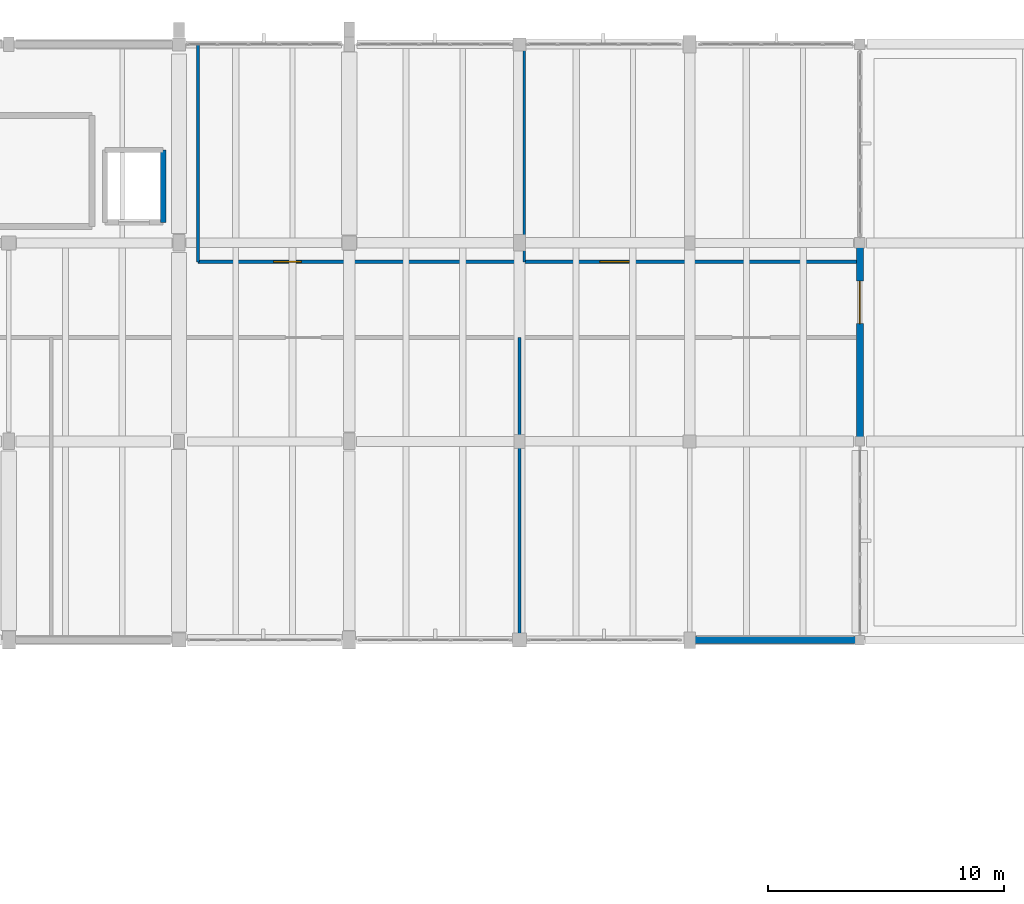
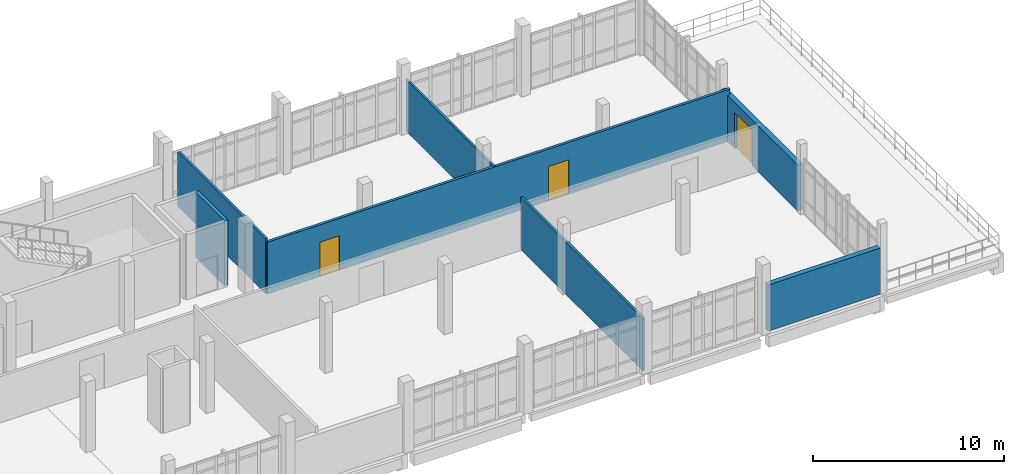
# One storey, part 56 of 62: 7 walls, 3 doors, 3 openings.
"""IFC4 building model written with IfcOpenShell, lengths in metres."""

from ifc_helpers import new_model, si_unit, direction, frame, frame_2d, origin, place, context, subcontext, project, spatial, rectangle, extrude, material, layer, layer_set, type_object, element, fill, save


model = new_model("IFC4")

# Units and contexts
model_context = context("Model", 3, precision=1e-05, world=origin(), true_north=direction((0.0, 1.0)))
body_context = subcontext(model_context, "Body", "Model", "MODEL_VIEW")
ifc_project = project(units=[si_unit("LENGTHUNIT", "METRE"), si_unit("AREAUNIT", "SQUARE_METRE"), si_unit("VOLUMEUNIT", "CUBIC_METRE"), si_unit("PLANEANGLEUNIT", "RADIAN"), si_unit("MASSUNIT", "GRAM", prefix="KILO")], contexts=[model_context])

# Site, building, storey
site_placement = place(None, origin())
site = spatial("IfcSite", under=ifc_project, at=site_placement, CompositionType="ELEMENT")
building_placement = place(site_placement, origin())
building = spatial("IfcBuilding", under=site, at=building_placement, Name="Kalluvel Institute of Natural Sciences", CompositionType="ELEMENT")
storey_placement = place(building_placement, frame((0.0, 0.0, 27.89990234375)))
storey = spatial("IfcBuildingStorey", under=building, at=storey_placement, Name="L06", CompositionType="ELEMENT", Elevation=27.89990234375)

# Wall
ifc_material_1 = material(Name="Sadarahalli Grey Granite Ashlar Concrete M40", Category="masonry")
ifc_layer_1 = layer(ifc_material_1, 0.300048828125)
ifc_layer_set_1 = layer_set([ifc_layer_1], Name="Sadarahalli Grey Granite Ashlar Concrete M40")
wall_type_1 = type_object("IfcWallType", Name="WL-EXT-300", PredefinedType="SOLIDWALL", material=ifc_layer_set_1)
wall_1_placement = place(storey_placement, frame((100.6298828125, 102.800048828125, 0.0), z_axis=(0.0, 0.0, 1.0), x_axis=(1.0, 0.0, 0.0)))
element("IfcWall", 1, at=wall_1_placement, inside=storey, type_object=wall_type_1, Name="L06 Sadarahalli granite exterior wall WL-EXT-L06-0082", PredefinedType="SOLIDWALL", context=body_context, shape_type="SweptSolid", body=[
    extrude(rectangle(XDim=6.7900390625, YDim=0.300048828125, at=frame_2d((3.39501953125, 0.0))), origin(), (0.0, 0.0, 1.0), 2.955078125),
])

# Wall, opening, door
wall_2_placement = place(storey_placement, frame((107.60009765625, 111.3798828125, 0.0), z_axis=(0.0, 0.0, 1.0), x_axis=(0.0, 1.0, 0.0)))
wall_2 = element("IfcWall", 2, at=wall_2_placement, inside=storey, type_object=wall_type_1, Name="L06 Sadarahalli granite exterior wall WL-EXT-L06-0085", PredefinedType="SOLIDWALL", context=body_context, shape_type="SweptSolid", body=[
    extrude(rectangle(XDim=8.01513671875, YDim=0.300048828125, at=frame_2d((4.007568359375, 0.0))), origin(), (0.0, 0.0, 1.0), 2.955078125),
])
opening_1_placement = place(wall_2_placement, frame((4.800048828125, 0.0, 0.0)))
opening_1 = element("IfcOpeningElement", 3, at=opening_1_placement, cuts=wall_2, Name="Opening DT-001", PredefinedType="OPENING", context=body_context, shape_type="SweptSolid", body=[
    extrude(rectangle(XDim=1.800048828125, YDim=2.300048828125, at=frame_2d((0.89990234375, 1.14990234375))), frame((0.0, 0.159912109375, 0.0), z_axis=(0.0, -1.0, 0.0), x_axis=(1.0, 0.0, 0.0)), (0.0, 0.0, 1.0), 0.320068359375),
])
ifc_material_2 = material(Name="Aluminium AW-6063 T6", Category="aluminium")
door_type_1 = type_object("IfcDoorType", Name="DR-TER-1800", OperationType="NOTDEFINED", PredefinedType="DOOR", material=ifc_material_2)
door_1_placement = place(opening_1_placement, origin())
door_1 = element("IfcDoor", 4, at=door_1_placement, inside=storey, type_object=door_type_1, Name="L06 East Planted Terrace Door", OperationType="DOUBLE_DOOR_SINGLE_SWING", OverallHeight=2.300048828125, OverallWidth=1.800048828125, PredefinedType="DOOR", context=body_context, shape_type="SweptSolid", body=[
    extrude(rectangle(XDim=1.800048828125, YDim=2.300048828125, at=frame_2d((0.89990234375, 1.14990234375))), frame((0.0, 0.02490234375, 0.0), z_axis=(0.0, -1.0, 0.0), x_axis=(1.0, 0.0, 0.0)), (0.0, 0.0, 1.0), 0.050048828125),
])
fill(opening_1, door_1)

# Walls
ifc_material_3 = material(Name="Acoustic Gypsum Twin-Stud Partition", Category="gypsum")
ifc_layer_2 = layer(ifc_material_3, 0.1201171875)
ifc_layer_set_2 = layer_set([ifc_layer_2], Name="Acoustic Gypsum Twin-Stud Partition")
wall_type_2 = type_object("IfcWallType", Name="WL-PART-120", PredefinedType="PARTITIONING", material=ifc_layer_set_2)
wall_3_placement = place(storey_placement, frame((93.39990234375, 118.800048828125, 0.0), z_axis=(0.0, 0.0, 1.0), x_axis=(0.0, 1.0, 0.0)))
element("IfcWall", 5, at=wall_3_placement, inside=storey, type_object=wall_type_2, Name="L06 interior partition wall WL-INT-L06-0294", PredefinedType="PARTITIONING", context=body_context, shape_type="SweptSolid", body=[
    extrude(rectangle(XDim=9.199951171875, YDim=0.1201171875, at=frame_2d((4.60009765625, 0.0))), origin(), (0.0, 0.0, 1.0), 3.31005859375),
])
ifc_layer_3 = layer(ifc_material_3, 0.139892578125)
ifc_layer_set_3 = layer_set([ifc_layer_3], Name="Acoustic Gypsum Twin-Stud Partition")
wall_type_3 = type_object("IfcWallType", Name="WL-PART-140", PredefinedType="PARTITIONING", material=ifc_layer_set_3)
wall_4_placement = place(storey_placement, frame((79.60009765625, 118.800048828125, 0.0), z_axis=(0.0, 0.0, 1.0), x_axis=(0.0, 1.0, 0.0)))
element("IfcWall", 6, at=wall_4_placement, inside=storey, type_object=wall_type_3, Name="L06 interior partition wall WL-INT-L06-0293", PredefinedType="PARTITIONING", context=body_context, shape_type="SweptSolid", body=[
    extrude(rectangle(XDim=9.199951171875, YDim=0.139892578125, at=frame_2d((4.60009765625, 0.0))), origin(), (0.0, 0.0, 1.0), 3.510009765625),
])
wall_5_placement = place(storey_placement, frame((93.199951171875, 102.800048828125, 0.0), z_axis=(0.0, 0.0, 1.0), x_axis=(0.0, 1.0, 0.0)))
element("IfcWall", 7, at=wall_5_placement, inside=storey, type_object=wall_type_3, Name="L06 interior partition wall WL-INT-L06-0299", PredefinedType="PARTITIONING", context=body_context, shape_type="SweptSolid", body=[
    extrude(rectangle(XDim=12.800048828125, YDim=0.139892578125, at=frame_2d((6.39990234375, 0.0))), origin(), (0.0, 0.0, 1.0), 3.360107421875),
])

# Wall, openings, doors
ifc_material_4 = material(Name="Autoclaved Aerated Concrete Masonry Block", Category="masonry")
ifc_layer_4 = layer(ifc_material_4, 0.159912109375)
ifc_layer_set_4 = layer_set([ifc_layer_4], Name="Autoclaved Aerated Concrete Masonry Block")
wall_type_4 = type_object("IfcWallType", Name="WL-PART-160", PredefinedType="PARTITIONING", material=ifc_layer_set_4)
wall_6_placement = place(storey_placement, frame((79.60009765625, 118.800048828125, 0.0), z_axis=(0.0, 0.0, 1.0), x_axis=(1.0, 0.0, 0.0)))
wall_6 = element("IfcWall", 8, at=wall_6_placement, inside=storey, type_object=wall_type_4, Name="L06 interior partition wall WL-INT-L06-0292", PredefinedType="PARTITIONING", context=body_context, shape_type="SweptSolid", body=[
    extrude(rectangle(XDim=28.0, YDim=0.159912109375, at=frame_2d((14.0, 0.0))), origin(), (0.0, 0.0, 1.0), 3.31005859375),
])
opening_2_placement = place(wall_6_placement, frame((3.199951171875, 0.0, 0.0)))
opening_2 = element("IfcOpeningElement", 9, at=opening_2_placement, cuts=wall_6, Name="Opening D-219", PredefinedType="OPENING", context=body_context, shape_type="SweptSolid", body=[
    extrude(rectangle(XDim=1.179931640625, YDim=2.199951171875, at=frame_2d((0.58984375, 1.10009765625))), frame((0.0, 0.08984375, 0.0), z_axis=(0.0, -1.0, 0.0), x_axis=(1.0, 0.0, 0.0)), (0.0, 0.0, 1.0), 0.179931640625),
])
opening_3_placement = place(wall_6_placement, frame((17.0, 0.0, 0.0)))
opening_3 = element("IfcOpeningElement", 10, at=opening_3_placement, cuts=wall_6, Name="Opening D-220", PredefinedType="OPENING", context=body_context, shape_type="SweptSolid", body=[
    extrude(rectangle(XDim=1.25, YDim=2.199951171875, at=frame_2d((0.625, 1.10009765625))), frame((0.0, 0.08984375, 0.0), z_axis=(0.0, -1.0, 0.0), x_axis=(1.0, 0.0, 0.0)), (0.0, 0.0, 1.0), 0.179931640625),
])
ifc_material_5 = material(Name="Engineered Hardwood Acoustic Leaf", Category="wood")
door_type_2 = type_object("IfcDoorType", Name="DR-INT-1180", OperationType="NOTDEFINED", PredefinedType="DOOR", material=ifc_material_5)
door_2_placement = place(opening_2_placement, origin())
door_2 = element("IfcDoor", 11, at=door_2_placement, inside=storey, type_object=door_type_2, Name="L06 NE1 door D-219", OperationType="SINGLE_SWING_LEFT", OverallHeight=2.199951171875, OverallWidth=1.179931640625, PredefinedType="DOOR", context=body_context, shape_type="SweptSolid", body=[
    extrude(rectangle(XDim=1.179931640625, YDim=2.199951171875, at=frame_2d((0.58984375, 1.10009765625))), frame((0.0, 0.02490234375, 0.0), z_axis=(0.0, -1.0, 0.0), x_axis=(1.0, 0.0, 0.0)), (0.0, 0.0, 1.0), 0.050048828125),
])
fill(opening_2, door_2)
door_type_3 = type_object("IfcDoorType", Name="DR-INT-1250", OperationType="NOTDEFINED", PredefinedType="DOOR", material=ifc_material_5)
door_3_placement = place(opening_3_placement, origin())
door_3 = element("IfcDoor", 12, at=door_3_placement, inside=storey, type_object=door_type_3, Name="L06 NE2 door D-220", OperationType="SINGLE_SWING_RIGHT", OverallHeight=2.199951171875, OverallWidth=1.25, PredefinedType="DOOR", context=body_context, shape_type="SweptSolid", body=[
    extrude(rectangle(XDim=1.25, YDim=2.199951171875, at=frame_2d((0.625, 1.10009765625))), frame((0.0, 0.02490234375, 0.0), z_axis=(0.0, -1.0, 0.0), x_axis=(1.0, 0.0, 0.0)), (0.0, 0.0, 1.0), 0.050048828125),
])
fill(opening_3, door_3)

# Wall
ifc_material_6 = material(Name="Concrete M40", Category="concrete")
ifc_layer_5 = layer(ifc_material_6, 0.219970703125)
ifc_layer_set_5 = layer_set([ifc_layer_5], Name="Concrete M40")
wall_type_5 = type_object("IfcWallType", Name="WL-SHAFT-220", PredefinedType="SHEAR", material=ifc_layer_set_5)
wall_7_placement = place(storey_placement, frame((78.1298828125, 120.469970703125, 0.0), z_axis=(0.0, 0.0, 1.0), x_axis=(0.0, 1.0, 0.0)))
element("IfcWall", 13, at=wall_7_placement, inside=storey, type_object=wall_type_5, Name="LF4 L06 lift shaft wall", PredefinedType="SHEAR", context=body_context, shape_type="SweptSolid", body=[
    extrude(rectangle(XDim=3.06005859375, YDim=0.219970703125, at=frame_2d((1.530029296875, 0.0))), origin(), (0.0, 0.0, 1.0), 4.175048828125),
])

save(model, "model.ifc")
